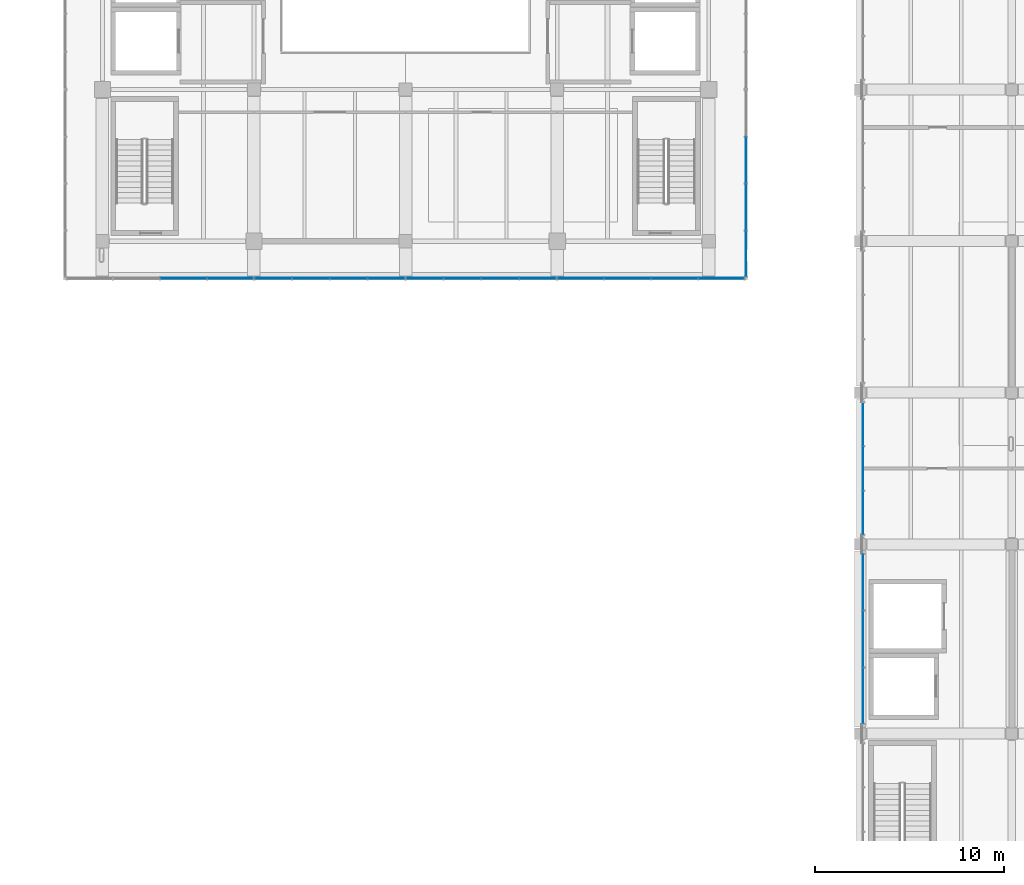
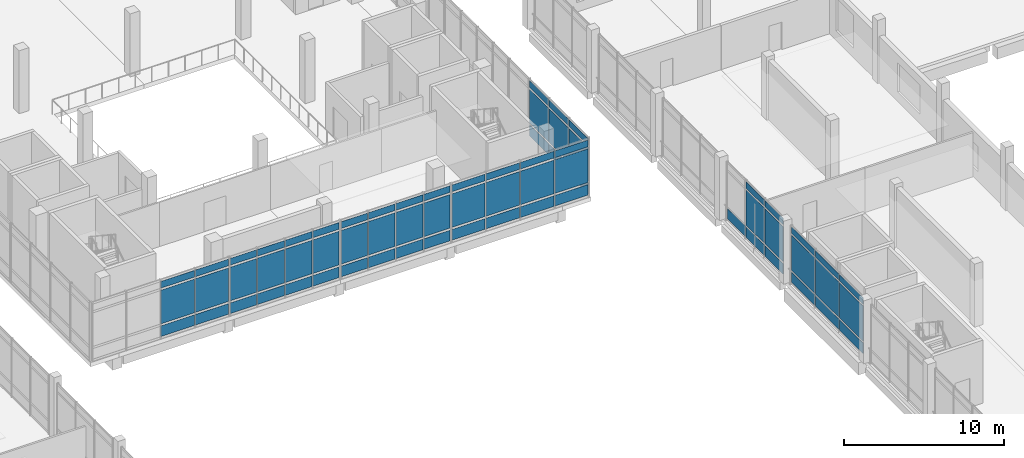
# One storey, part 27 of 47: 67 plates, 7 elements without a shape of their own.
"""IFC4 building model written with IfcOpenShell, lengths in metres."""

from ifc_helpers import new_model, si_unit, direction, frame, origin, origin_2d, place, context, subcontext, project, spatial, rectangle, extrude, material, layer, layer_set, type_object, element, aggregate, save


model = new_model("IFC4")

# Units and contexts
model_context = context("Model", 3, precision=1e-05, world=origin(), true_north=direction((0.0, 1.0)))
body_context = subcontext(model_context, "Body", "Model", "MODEL_VIEW")
ifc_project = project(units=[si_unit("LENGTHUNIT", "METRE"), si_unit("AREAUNIT", "SQUARE_METRE"), si_unit("VOLUMEUNIT", "CUBIC_METRE"), si_unit("PLANEANGLEUNIT", "RADIAN"), si_unit("MASSUNIT", "GRAM", prefix="KILO")], contexts=[model_context])

# Site, building, storey
site_placement = place(None, origin())
site = spatial("IfcSite", under=ifc_project, at=site_placement, CompositionType="ELEMENT")
building_placement = place(site_placement, origin())
building = spatial("IfcBuilding", under=site, at=building_placement, Name="Pecanmere Concourse Central Library", CompositionType="ELEMENT")
storey_placement = place(building_placement, frame((0.0, 0.0, 15.300048828125)))
storey = spatial("IfcBuildingStorey", under=building, at=storey_placement, Name="L04", CompositionType="ELEMENT", Elevation=15.300048828125)

# Curtain wall, plates
ifc_material_1 = material(Name="Anodized bronze aluminium alloy 6063-T6", Category="aluminium")
curtain_wall_type_1 = type_object("IfcCurtainWallType", Name="CW_PLUMB_BANDED", PredefinedType="USERDEFINED", material=ifc_material_1)
curtain_wall_1_placement = place(storey_placement, origin())
curtain_wall_1 = element("IfcCurtainWall", 1, at=curtain_wall_1_placement, inside=storey, type_object=curtain_wall_type_1, Name="Unitised Curtain Wall CW-02 L04-042", ObjectType="UNITISED CURTAIN WALL", PredefinedType="USERDEFINED")
ifc_material_2 = material(Name="White ceramic-fritted insulated spandrel glazing", Category="glass")
ifc_layer_1 = layer(ifc_material_2, 0.053955078125, Name="CWP_SPN_54")
ifc_layer_set_1 = layer_set([ifc_layer_1], Name="White ceramic-fritted insulated spandrel glazing")
plate_type_1 = type_object("IfcPlateType", Name="CWP_SPN_54", PredefinedType="CURTAIN_PANEL", material=ifc_layer_set_1)
plate_1_placement = place(storey_placement, frame((76.2763671875, 88.03857421875, 0.159912109375), z_axis=(0.0, 0.0, 1.0), x_axis=(1.0, 0.0, 0.0)))
plate_1 = element("IfcPlate", 2, at=plate_1_placement, type_object=plate_type_1, Name="CW-02 Spandrel Panel 3.1", PredefinedType="CURTAIN_PANEL", context=body_context, shape_type="SweptSolid", body=[
    extrude(rectangle(XDim=2.4140625, YDim=0.035888671875, at=origin_2d()), origin(), (0.0, 0.0, 1.0), 0.81005859375),
])
plate_2_placement = place(storey_placement, frame((78.7392578125, 88.03857421875, 0.159912109375), z_axis=(0.0, 0.0, 1.0), x_axis=(1.0, 0.0, 0.0)))
plate_2 = element("IfcPlate", 3, at=plate_2_placement, type_object=plate_type_1, Name="CW-02 Spandrel Panel 4.1", PredefinedType="CURTAIN_PANEL", context=body_context, shape_type="SweptSolid", body=[
    extrude(rectangle(XDim=2.381591796875, YDim=0.035888671875, at=origin_2d()), origin(), (0.0, 0.0, 1.0), 0.81005859375),
])

curtain_wall_2_placement = place(storey_placement, origin())
curtain_wall_2 = element("IfcCurtainWall", 4, at=curtain_wall_2_placement, inside=storey, type_object=curtain_wall_type_1, Name="Unitised Curtain Wall CW-02 L04-043", ObjectType="UNITISED CURTAIN WALL", PredefinedType="USERDEFINED")
plate_3_placement = place(storey_placement, frame((81.02001953125, 88.03857421875, 0.159912109375), z_axis=(0.0, 0.0, 1.0), x_axis=(1.0, 0.0, 0.0)))
plate_3 = element("IfcPlate", 5, at=plate_3_placement, type_object=plate_type_1, Name="CW-02 Spandrel Panel 1.1", PredefinedType="CURTAIN_PANEL", context=body_context, shape_type="SweptSolid", body=[
    extrude(rectangle(XDim=1.89990234375, YDim=0.035888671875, at=origin_2d()), origin(), (0.0, 0.0, 1.0), 0.81005859375),
])
plate_4_placement = place(storey_placement, frame((83.001220703125, 88.03857421875, 0.159912109375), z_axis=(0.0, 0.0, 1.0), x_axis=(1.0, 0.0, 0.0)))
plate_4 = element("IfcPlate", 6, at=plate_4_placement, type_object=plate_type_1, Name="CW-02 Spandrel Panel 2.1", PredefinedType="CURTAIN_PANEL", context=body_context, shape_type="SweptSolid", body=[
    extrude(rectangle(XDim=1.9326171875, YDim=0.035888671875, at=origin_2d()), origin(), (0.0, 0.0, 1.0), 0.81005859375),
])
plate_5_placement = place(storey_placement, frame((84.998779296875, 88.03857421875, 0.159912109375), z_axis=(0.0, 0.0, 1.0), x_axis=(1.0, 0.0, 0.0)))
plate_5 = element("IfcPlate", 7, at=plate_5_placement, type_object=plate_type_1, Name="CW-02 Spandrel Panel 3.1", PredefinedType="CURTAIN_PANEL", context=body_context, shape_type="SweptSolid", body=[
    extrude(rectangle(XDim=1.9326171875, YDim=0.035888671875, at=origin_2d()), origin(), (0.0, 0.0, 1.0), 0.81005859375),
])
plate_6_placement = place(storey_placement, frame((86.97998046875, 88.03857421875, 0.159912109375), z_axis=(0.0, 0.0, 1.0), x_axis=(1.0, 0.0, 0.0)))
plate_6 = element("IfcPlate", 8, at=plate_6_placement, type_object=plate_type_1, Name="CW-02 Spandrel Panel 4.1", PredefinedType="CURTAIN_PANEL", context=body_context, shape_type="SweptSolid", body=[
    extrude(rectangle(XDim=1.89990234375, YDim=0.035888671875, at=origin_2d()), origin(), (0.0, 0.0, 1.0), 0.81005859375),
])

curtain_wall_3_placement = place(storey_placement, origin())
curtain_wall_3 = element("IfcCurtainWall", 9, at=curtain_wall_3_placement, inside=storey, type_object=curtain_wall_type_1, Name="Unitised Curtain Wall CW-02 L04-044", ObjectType="UNITISED CURTAIN WALL", PredefinedType="USERDEFINED")
plate_7_placement = place(storey_placement, frame((89.02001953125, 88.03857421875, 0.159912109375), z_axis=(0.0, 0.0, 1.0), x_axis=(1.0, 0.0, 0.0)))
plate_7 = element("IfcPlate", 10, at=plate_7_placement, type_object=plate_type_1, Name="CW-02 Spandrel Panel 1.1", PredefinedType="CURTAIN_PANEL", context=body_context, shape_type="SweptSolid", body=[
    extrude(rectangle(XDim=1.89990234375, YDim=0.035888671875, at=origin_2d()), origin(), (0.0, 0.0, 1.0), 0.81005859375),
])
plate_8_placement = place(storey_placement, frame((91.001220703125, 88.03857421875, 0.159912109375), z_axis=(0.0, 0.0, 1.0), x_axis=(1.0, 0.0, 0.0)))
plate_8 = element("IfcPlate", 11, at=plate_8_placement, type_object=plate_type_1, Name="CW-02 Spandrel Panel 2.1", PredefinedType="CURTAIN_PANEL", context=body_context, shape_type="SweptSolid", body=[
    extrude(rectangle(XDim=1.9326171875, YDim=0.035888671875, at=origin_2d()), origin(), (0.0, 0.0, 1.0), 0.81005859375),
])
plate_9_placement = place(storey_placement, frame((92.998779296875, 88.03857421875, 0.159912109375), z_axis=(0.0, 0.0, 1.0), x_axis=(1.0, 0.0, 0.0)))
plate_9 = element("IfcPlate", 12, at=plate_9_placement, type_object=plate_type_1, Name="CW-02 Spandrel Panel 3.1", PredefinedType="CURTAIN_PANEL", context=body_context, shape_type="SweptSolid", body=[
    extrude(rectangle(XDim=1.9326171875, YDim=0.035888671875, at=origin_2d()), origin(), (0.0, 0.0, 1.0), 0.81005859375),
])
plate_10_placement = place(storey_placement, frame((94.97998046875, 88.03857421875, 0.159912109375), z_axis=(0.0, 0.0, 1.0), x_axis=(1.0, 0.0, 0.0)))
plate_10 = element("IfcPlate", 13, at=plate_10_placement, type_object=plate_type_1, Name="CW-02 Spandrel Panel 4.1", PredefinedType="CURTAIN_PANEL", context=body_context, shape_type="SweptSolid", body=[
    extrude(rectangle(XDim=1.89990234375, YDim=0.035888671875, at=origin_2d()), origin(), (0.0, 0.0, 1.0), 0.81005859375),
])

curtain_wall_4_placement = place(storey_placement, origin())
curtain_wall_4 = element("IfcCurtainWall", 14, at=curtain_wall_4_placement, inside=storey, type_object=curtain_wall_type_1, Name="Unitised Curtain Wall CW-02 L04-045", ObjectType="UNITISED CURTAIN WALL", PredefinedType="USERDEFINED")
plate_11_placement = place(storey_placement, frame((97.2607421875, 88.03857421875, 0.159912109375), z_axis=(0.0, 0.0, 1.0), x_axis=(1.0, 0.0, 0.0)))
plate_11 = element("IfcPlate", 15, at=plate_11_placement, type_object=plate_type_1, Name="CW-02 Spandrel Panel 1.1", PredefinedType="CURTAIN_PANEL", context=body_context, shape_type="SweptSolid", body=[
    extrude(rectangle(XDim=2.381591796875, YDim=0.035888671875, at=origin_2d()), origin(), (0.0, 0.0, 1.0), 0.81005859375),
])
plate_12_placement = place(storey_placement, frame((99.7236328125, 88.03857421875, 0.159912109375), z_axis=(0.0, 0.0, 1.0), x_axis=(1.0, 0.0, 0.0)))
plate_12 = element("IfcPlate", 16, at=plate_12_placement, type_object=plate_type_1, Name="CW-02 Spandrel Panel 2.1", PredefinedType="CURTAIN_PANEL", context=body_context, shape_type="SweptSolid", body=[
    extrude(rectangle(XDim=2.4140625, YDim=0.035888671875, at=origin_2d()), origin(), (0.0, 0.0, 1.0), 0.81005859375),
])
plate_13_placement = place(storey_placement, frame((102.202880859375, 88.03857421875, 0.159912109375), z_axis=(0.0, 0.0, 1.0), x_axis=(1.0, 0.0, 0.0)))
plate_13 = element("IfcPlate", 17, at=plate_13_placement, type_object=plate_type_1, Name="CW-02 Spandrel Panel 3.1", PredefinedType="CURTAIN_PANEL", context=body_context, shape_type="SweptSolid", body=[
    extrude(rectangle(XDim=2.4140625, YDim=0.035888671875, at=origin_2d()), origin(), (0.0, 0.0, 1.0), 0.81005859375),
])
plate_14_placement = place(storey_placement, frame((104.665771484375, 88.03857421875, 0.159912109375), z_axis=(0.0, 0.0, 1.0), x_axis=(1.0, 0.0, 0.0)))
plate_14 = element("IfcPlate", 18, at=plate_14_placement, type_object=plate_type_1, Name="CW-02 Spandrel Panel 4.1", PredefinedType="CURTAIN_PANEL", context=body_context, shape_type="SweptSolid", body=[
    extrude(rectangle(XDim=2.381591796875, YDim=0.035888671875, at=origin_2d()), origin(), (0.0, 0.0, 1.0), 0.81005859375),
])

curtain_wall_5_placement = place(storey_placement, origin())
curtain_wall_5 = element("IfcCurtainWall", 19, at=curtain_wall_5_placement, inside=storey, type_object=curtain_wall_type_1, Name="Unitised Curtain Wall CW-02 L04-046", ObjectType="UNITISED CURTAIN WALL", PredefinedType="USERDEFINED")
plate_15_placement = place(storey_placement, frame((105.96142578125, 89.334228515625, 0.159912109375), z_axis=(0.0, 0.0, 1.0), x_axis=(0.0, 1.0, 0.0)))
plate_15 = element("IfcPlate", 20, at=plate_15_placement, type_object=plate_type_1, Name="CW-02 Spandrel Panel 1.1", PredefinedType="CURTAIN_PANEL", context=body_context, shape_type="SweptSolid", body=[
    extrude(rectangle(XDim=2.381591796875, YDim=0.035888671875, at=origin_2d()), origin(), (0.0, 0.0, 1.0), 0.81005859375),
])
plate_16_placement = place(storey_placement, frame((105.96142578125, 91.797119140625, 0.159912109375), z_axis=(0.0, 0.0, 1.0), x_axis=(0.0, 1.0, 0.0)))
plate_16 = element("IfcPlate", 21, at=plate_16_placement, type_object=plate_type_1, Name="CW-02 Spandrel Panel 2.1", PredefinedType="CURTAIN_PANEL", context=body_context, shape_type="SweptSolid", body=[
    extrude(rectangle(XDim=2.4140625, YDim=0.035888671875, at=origin_2d()), origin(), (0.0, 0.0, 1.0), 0.81005859375),
])
plate_17_placement = place(storey_placement, frame((105.96142578125, 94.2763671875, 0.159912109375), z_axis=(0.0, 0.0, 1.0), x_axis=(0.0, 1.0, 0.0)))
plate_17 = element("IfcPlate", 22, at=plate_17_placement, type_object=plate_type_1, Name="CW-02 Spandrel Panel 3.1", PredefinedType="CURTAIN_PANEL", context=body_context, shape_type="SweptSolid", body=[
    extrude(rectangle(XDim=2.4140625, YDim=0.035888671875, at=origin_2d()), origin(), (0.0, 0.0, 1.0), 0.81005859375),
])

ifc_material_3 = material(Name="Clear anodized aluminium alloy 6063-T6", Category="aluminium")
curtain_wall_type_2 = type_object("IfcCurtainWallType", Name="CW_CLOISTER_GLAZ", PredefinedType="USERDEFINED", material=ifc_material_3)
curtain_wall_6_placement = place(storey_placement, origin())
curtain_wall_6 = element("IfcCurtainWall", 23, at=curtain_wall_6_placement, inside=storey, type_object=curtain_wall_type_2, Name="Unitised Curtain Wall CW-04 L04-143", ObjectType="UNITISED CURTAIN WALL", PredefinedType="USERDEFINED")
plate_18_placement = place(storey_placement, frame((112.14990234375, 71.998291015625, 0.139892578125), z_axis=(0.0, 0.0, 1.0), x_axis=(0.0, -1.0, 0.0)))
plate_18 = element("IfcPlate", 24, at=plate_18_placement, type_object=plate_type_1, Name="CW-04 Spandrel Panel 1.1", PredefinedType="CURTAIN_PANEL", context=body_context, shape_type="SweptSolid", body=[
    extrude(rectangle(XDim=2.92333984375, YDim=0.035888671875, at=origin_2d()), origin(), (0.0, 0.0, 1.0), 0.7900390625),
])
plate_19_placement = place(storey_placement, frame((112.14990234375, 69.0, 0.139892578125), z_axis=(0.0, 0.0, 1.0), x_axis=(0.0, -1.0, 0.0)))
plate_19 = element("IfcPlate", 25, at=plate_19_placement, type_object=plate_type_1, Name="CW-04 Spandrel Panel 2.1", PredefinedType="CURTAIN_PANEL", context=body_context, shape_type="SweptSolid", body=[
    extrude(rectangle(XDim=2.953369140625, YDim=0.035888671875, at=origin_2d()), origin(), (0.0, 0.0, 1.0), 0.7900390625),
])
plate_20_placement = place(storey_placement, frame((112.14990234375, 66.001708984375, 0.139892578125), z_axis=(0.0, 0.0, 1.0), x_axis=(0.0, -1.0, 0.0)))
plate_20 = element("IfcPlate", 26, at=plate_20_placement, type_object=plate_type_1, Name="CW-04 Spandrel Panel 3.1", PredefinedType="CURTAIN_PANEL", context=body_context, shape_type="SweptSolid", body=[
    extrude(rectangle(XDim=2.92333984375, YDim=0.035888671875, at=origin_2d()), origin(), (0.0, 0.0, 1.0), 0.7900390625),
])

curtain_wall_7_placement = place(storey_placement, origin())
curtain_wall_7 = element("IfcCurtainWall", 27, at=curtain_wall_7_placement, inside=storey, type_object=curtain_wall_type_2, Name="Unitised Curtain Wall CW-04 L04-145", ObjectType="UNITISED CURTAIN WALL", PredefinedType="USERDEFINED")
plate_21_placement = place(storey_placement, frame((112.14990234375, 80.331787109375, 0.139892578125), z_axis=(0.0, 0.0, 1.0), x_axis=(0.0, -1.0, 0.0)))
plate_21 = element("IfcPlate", 28, at=plate_21_placement, type_object=plate_type_1, Name="CW-04 Spandrel Panel 1.1", PredefinedType="CURTAIN_PANEL", context=body_context, shape_type="SweptSolid", body=[
    extrude(rectangle(XDim=2.256591796875, YDim=0.035888671875, at=origin_2d()), origin(), (0.0, 0.0, 1.0), 0.7900390625),
])
plate_22_placement = place(storey_placement, frame((112.14990234375, 78.0, 0.139892578125), z_axis=(0.0, 0.0, 1.0), x_axis=(0.0, -1.0, 0.0)))
plate_22 = element("IfcPlate", 29, at=plate_22_placement, type_object=plate_type_1, Name="CW-04 Spandrel Panel 2.1", PredefinedType="CURTAIN_PANEL", context=body_context, shape_type="SweptSolid", body=[
    extrude(rectangle(XDim=2.28662109375, YDim=0.035888671875, at=origin_2d()), origin(), (0.0, 0.0, 1.0), 0.7900390625),
])
plate_23_placement = place(storey_placement, frame((112.14990234375, 75.668212890625, 0.139892578125), z_axis=(0.0, 0.0, 1.0), x_axis=(0.0, -1.0, 0.0)))
plate_23 = element("IfcPlate", 30, at=plate_23_placement, type_object=plate_type_1, Name="CW-04 Spandrel Panel 3.1", PredefinedType="CURTAIN_PANEL", context=body_context, shape_type="SweptSolid", body=[
    extrude(rectangle(XDim=2.256591796875, YDim=0.035888671875, at=origin_2d()), origin(), (0.0, 0.0, 1.0), 0.7900390625),
])

# Plate
ifc_material_4 = material(Name="Low-iron clear insulated glazing", Category="glass")
ifc_layer_2 = layer(ifc_material_4, 0.035888671875, Name="CWP_VIS_36")
ifc_layer_set_2 = layer_set([ifc_layer_2], Name="Low-iron clear insulated glazing")
plate_type_2 = type_object("IfcPlateType", Name="CWP_VIS_36", PredefinedType="CURTAIN_PANEL", material=ifc_layer_set_2)
plate_24_placement = place(storey_placement, frame((76.2763671875, 88.03857421875, 1.1298828125), z_axis=(0.0, 0.0, 1.0), x_axis=(1.0, 0.0, 0.0)))
plate_24 = element("IfcPlate", 31, at=plate_24_placement, type_object=plate_type_2, Name="CW-02 Vision Panel 3.2", PredefinedType="CURTAIN_PANEL", context=body_context, shape_type="SweptSolid", body=[
    extrude(rectangle(XDim=2.4140625, YDim=0.035888671875, at=origin_2d()), origin(), (0.0, 0.0, 1.0), 2.56005859375),
])

plate_25_placement = place(storey_placement, frame((76.2763671875, 88.03857421875, 3.85009765625), z_axis=(0.0, 0.0, 1.0), x_axis=(1.0, 0.0, 0.0)))
plate_25 = element("IfcPlate", 32, at=plate_25_placement, type_object=plate_type_2, Name="CW-02 Vision Panel 3.3", PredefinedType="CURTAIN_PANEL", context=body_context, shape_type="SweptSolid", body=[
    extrude(rectangle(XDim=2.4140625, YDim=0.035888671875, at=origin_2d()), origin(), (0.0, 0.0, 1.0), 0.510009765625),
])

plate_26_placement = place(storey_placement, frame((78.7392578125, 88.03857421875, 1.1298828125), z_axis=(0.0, 0.0, 1.0), x_axis=(1.0, 0.0, 0.0)))
plate_26 = element("IfcPlate", 33, at=plate_26_placement, type_object=plate_type_2, Name="CW-02 Vision Panel 4.2", PredefinedType="CURTAIN_PANEL", context=body_context, shape_type="SweptSolid", body=[
    extrude(rectangle(XDim=2.381591796875, YDim=0.035888671875, at=origin_2d()), origin(), (0.0, 0.0, 1.0), 2.56005859375),
])

plate_27_placement = place(storey_placement, frame((78.7392578125, 88.03857421875, 3.85009765625), z_axis=(0.0, 0.0, 1.0), x_axis=(1.0, 0.0, 0.0)))
plate_27 = element("IfcPlate", 34, at=plate_27_placement, type_object=plate_type_2, Name="CW-02 Vision Panel 4.3", PredefinedType="CURTAIN_PANEL", context=body_context, shape_type="SweptSolid", body=[
    extrude(rectangle(XDim=2.381591796875, YDim=0.035888671875, at=origin_2d()), origin(), (0.0, 0.0, 1.0), 0.510009765625),
])

aggregate(curtain_wall_1, [plate_1, plate_24, plate_25, plate_2, plate_26, plate_27])

plate_28_placement = place(storey_placement, frame((81.02001953125, 88.03857421875, 1.1298828125), z_axis=(0.0, 0.0, 1.0), x_axis=(1.0, 0.0, 0.0)))
plate_28 = element("IfcPlate", 35, at=plate_28_placement, type_object=plate_type_2, Name="CW-02 Vision Panel 1.2", PredefinedType="CURTAIN_PANEL", context=body_context, shape_type="SweptSolid", body=[
    extrude(rectangle(XDim=1.89990234375, YDim=0.035888671875, at=origin_2d()), origin(), (0.0, 0.0, 1.0), 2.56005859375),
])

plate_29_placement = place(storey_placement, frame((81.02001953125, 88.03857421875, 3.85009765625), z_axis=(0.0, 0.0, 1.0), x_axis=(1.0, 0.0, 0.0)))
plate_29 = element("IfcPlate", 36, at=plate_29_placement, type_object=plate_type_2, Name="CW-02 Vision Panel 1.3", PredefinedType="CURTAIN_PANEL", context=body_context, shape_type="SweptSolid", body=[
    extrude(rectangle(XDim=1.89990234375, YDim=0.035888671875, at=origin_2d()), origin(), (0.0, 0.0, 1.0), 0.510009765625),
])

plate_30_placement = place(storey_placement, frame((83.001220703125, 88.03857421875, 1.1298828125), z_axis=(0.0, 0.0, 1.0), x_axis=(1.0, 0.0, 0.0)))
plate_30 = element("IfcPlate", 37, at=plate_30_placement, type_object=plate_type_2, Name="CW-02 Vision Panel 2.2", PredefinedType="CURTAIN_PANEL", context=body_context, shape_type="SweptSolid", body=[
    extrude(rectangle(XDim=1.9326171875, YDim=0.035888671875, at=origin_2d()), origin(), (0.0, 0.0, 1.0), 2.56005859375),
])

plate_31_placement = place(storey_placement, frame((83.001220703125, 88.03857421875, 3.85009765625), z_axis=(0.0, 0.0, 1.0), x_axis=(1.0, 0.0, 0.0)))
plate_31 = element("IfcPlate", 38, at=plate_31_placement, type_object=plate_type_2, Name="CW-02 Vision Panel 2.3", PredefinedType="CURTAIN_PANEL", context=body_context, shape_type="SweptSolid", body=[
    extrude(rectangle(XDim=1.9326171875, YDim=0.035888671875, at=origin_2d()), origin(), (0.0, 0.0, 1.0), 0.510009765625),
])

plate_32_placement = place(storey_placement, frame((84.998779296875, 88.03857421875, 1.1298828125), z_axis=(0.0, 0.0, 1.0), x_axis=(1.0, 0.0, 0.0)))
plate_32 = element("IfcPlate", 39, at=plate_32_placement, type_object=plate_type_2, Name="CW-02 Vision Panel 3.2", PredefinedType="CURTAIN_PANEL", context=body_context, shape_type="SweptSolid", body=[
    extrude(rectangle(XDim=1.9326171875, YDim=0.035888671875, at=origin_2d()), origin(), (0.0, 0.0, 1.0), 2.56005859375),
])

plate_33_placement = place(storey_placement, frame((84.998779296875, 88.03857421875, 3.85009765625), z_axis=(0.0, 0.0, 1.0), x_axis=(1.0, 0.0, 0.0)))
plate_33 = element("IfcPlate", 40, at=plate_33_placement, type_object=plate_type_2, Name="CW-02 Vision Panel 3.3", PredefinedType="CURTAIN_PANEL", context=body_context, shape_type="SweptSolid", body=[
    extrude(rectangle(XDim=1.9326171875, YDim=0.035888671875, at=origin_2d()), origin(), (0.0, 0.0, 1.0), 0.510009765625),
])

plate_34_placement = place(storey_placement, frame((86.97998046875, 88.03857421875, 1.1298828125), z_axis=(0.0, 0.0, 1.0), x_axis=(1.0, 0.0, 0.0)))
plate_34 = element("IfcPlate", 41, at=plate_34_placement, type_object=plate_type_2, Name="CW-02 Vision Panel 4.2", PredefinedType="CURTAIN_PANEL", context=body_context, shape_type="SweptSolid", body=[
    extrude(rectangle(XDim=1.89990234375, YDim=0.035888671875, at=origin_2d()), origin(), (0.0, 0.0, 1.0), 2.56005859375),
])

plate_35_placement = place(storey_placement, frame((86.97998046875, 88.03857421875, 3.85009765625), z_axis=(0.0, 0.0, 1.0), x_axis=(1.0, 0.0, 0.0)))
plate_35 = element("IfcPlate", 42, at=plate_35_placement, type_object=plate_type_2, Name="CW-02 Vision Panel 4.3", PredefinedType="CURTAIN_PANEL", context=body_context, shape_type="SweptSolid", body=[
    extrude(rectangle(XDim=1.89990234375, YDim=0.035888671875, at=origin_2d()), origin(), (0.0, 0.0, 1.0), 0.510009765625),
])

aggregate(curtain_wall_2, [plate_3, plate_28, plate_29, plate_4, plate_30, plate_31, plate_5, plate_32, plate_33, plate_6, plate_34, plate_35])

plate_36_placement = place(storey_placement, frame((89.02001953125, 88.03857421875, 1.1298828125), z_axis=(0.0, 0.0, 1.0), x_axis=(1.0, 0.0, 0.0)))
plate_36 = element("IfcPlate", 43, at=plate_36_placement, type_object=plate_type_2, Name="CW-02 Vision Panel 1.2", PredefinedType="CURTAIN_PANEL", context=body_context, shape_type="SweptSolid", body=[
    extrude(rectangle(XDim=1.89990234375, YDim=0.035888671875, at=origin_2d()), origin(), (0.0, 0.0, 1.0), 2.56005859375),
])

plate_37_placement = place(storey_placement, frame((89.02001953125, 88.03857421875, 3.85009765625), z_axis=(0.0, 0.0, 1.0), x_axis=(1.0, 0.0, 0.0)))
plate_37 = element("IfcPlate", 44, at=plate_37_placement, type_object=plate_type_2, Name="CW-02 Vision Panel 1.3", PredefinedType="CURTAIN_PANEL", context=body_context, shape_type="SweptSolid", body=[
    extrude(rectangle(XDim=1.89990234375, YDim=0.035888671875, at=origin_2d()), origin(), (0.0, 0.0, 1.0), 0.510009765625),
])

plate_38_placement = place(storey_placement, frame((91.001220703125, 88.03857421875, 1.1298828125), z_axis=(0.0, 0.0, 1.0), x_axis=(1.0, 0.0, 0.0)))
plate_38 = element("IfcPlate", 45, at=plate_38_placement, type_object=plate_type_2, Name="CW-02 Vision Panel 2.2", PredefinedType="CURTAIN_PANEL", context=body_context, shape_type="SweptSolid", body=[
    extrude(rectangle(XDim=1.9326171875, YDim=0.035888671875, at=origin_2d()), origin(), (0.0, 0.0, 1.0), 2.56005859375),
])

plate_39_placement = place(storey_placement, frame((91.001220703125, 88.03857421875, 3.85009765625), z_axis=(0.0, 0.0, 1.0), x_axis=(1.0, 0.0, 0.0)))
plate_39 = element("IfcPlate", 46, at=plate_39_placement, type_object=plate_type_2, Name="CW-02 Vision Panel 2.3", PredefinedType="CURTAIN_PANEL", context=body_context, shape_type="SweptSolid", body=[
    extrude(rectangle(XDim=1.9326171875, YDim=0.035888671875, at=origin_2d()), origin(), (0.0, 0.0, 1.0), 0.510009765625),
])

plate_40_placement = place(storey_placement, frame((92.998779296875, 88.03857421875, 1.1298828125), z_axis=(0.0, 0.0, 1.0), x_axis=(1.0, 0.0, 0.0)))
plate_40 = element("IfcPlate", 47, at=plate_40_placement, type_object=plate_type_2, Name="CW-02 Vision Panel 3.2", PredefinedType="CURTAIN_PANEL", context=body_context, shape_type="SweptSolid", body=[
    extrude(rectangle(XDim=1.9326171875, YDim=0.035888671875, at=origin_2d()), origin(), (0.0, 0.0, 1.0), 2.56005859375),
])

plate_41_placement = place(storey_placement, frame((92.998779296875, 88.03857421875, 3.85009765625), z_axis=(0.0, 0.0, 1.0), x_axis=(1.0, 0.0, 0.0)))
plate_41 = element("IfcPlate", 48, at=plate_41_placement, type_object=plate_type_2, Name="CW-02 Vision Panel 3.3", PredefinedType="CURTAIN_PANEL", context=body_context, shape_type="SweptSolid", body=[
    extrude(rectangle(XDim=1.9326171875, YDim=0.035888671875, at=origin_2d()), origin(), (0.0, 0.0, 1.0), 0.510009765625),
])

plate_42_placement = place(storey_placement, frame((94.97998046875, 88.03857421875, 1.1298828125), z_axis=(0.0, 0.0, 1.0), x_axis=(1.0, 0.0, 0.0)))
plate_42 = element("IfcPlate", 49, at=plate_42_placement, type_object=plate_type_2, Name="CW-02 Vision Panel 4.2", PredefinedType="CURTAIN_PANEL", context=body_context, shape_type="SweptSolid", body=[
    extrude(rectangle(XDim=1.89990234375, YDim=0.035888671875, at=origin_2d()), origin(), (0.0, 0.0, 1.0), 2.56005859375),
])

plate_43_placement = place(storey_placement, frame((94.97998046875, 88.03857421875, 3.85009765625), z_axis=(0.0, 0.0, 1.0), x_axis=(1.0, 0.0, 0.0)))
plate_43 = element("IfcPlate", 50, at=plate_43_placement, type_object=plate_type_2, Name="CW-02 Vision Panel 4.3", PredefinedType="CURTAIN_PANEL", context=body_context, shape_type="SweptSolid", body=[
    extrude(rectangle(XDim=1.89990234375, YDim=0.035888671875, at=origin_2d()), origin(), (0.0, 0.0, 1.0), 0.510009765625),
])

aggregate(curtain_wall_3, [plate_7, plate_36, plate_37, plate_8, plate_38, plate_39, plate_9, plate_40, plate_41, plate_10, plate_42, plate_43])

plate_44_placement = place(storey_placement, frame((97.2607421875, 88.03857421875, 1.1298828125), z_axis=(0.0, 0.0, 1.0), x_axis=(1.0, 0.0, 0.0)))
plate_44 = element("IfcPlate", 51, at=plate_44_placement, type_object=plate_type_2, Name="CW-02 Vision Panel 1.2", PredefinedType="CURTAIN_PANEL", context=body_context, shape_type="SweptSolid", body=[
    extrude(rectangle(XDim=2.381591796875, YDim=0.035888671875, at=origin_2d()), origin(), (0.0, 0.0, 1.0), 2.56005859375),
])

plate_45_placement = place(storey_placement, frame((97.2607421875, 88.03857421875, 3.85009765625), z_axis=(0.0, 0.0, 1.0), x_axis=(1.0, 0.0, 0.0)))
plate_45 = element("IfcPlate", 52, at=plate_45_placement, type_object=plate_type_2, Name="CW-02 Vision Panel 1.3", PredefinedType="CURTAIN_PANEL", context=body_context, shape_type="SweptSolid", body=[
    extrude(rectangle(XDim=2.381591796875, YDim=0.035888671875, at=origin_2d()), origin(), (0.0, 0.0, 1.0), 0.510009765625),
])

plate_46_placement = place(storey_placement, frame((99.7236328125, 88.03857421875, 1.1298828125), z_axis=(0.0, 0.0, 1.0), x_axis=(1.0, 0.0, 0.0)))
plate_46 = element("IfcPlate", 53, at=plate_46_placement, type_object=plate_type_2, Name="CW-02 Vision Panel 2.2", PredefinedType="CURTAIN_PANEL", context=body_context, shape_type="SweptSolid", body=[
    extrude(rectangle(XDim=2.4140625, YDim=0.035888671875, at=origin_2d()), origin(), (0.0, 0.0, 1.0), 2.56005859375),
])

plate_47_placement = place(storey_placement, frame((99.7236328125, 88.03857421875, 3.85009765625), z_axis=(0.0, 0.0, 1.0), x_axis=(1.0, 0.0, 0.0)))
plate_47 = element("IfcPlate", 54, at=plate_47_placement, type_object=plate_type_2, Name="CW-02 Vision Panel 2.3", PredefinedType="CURTAIN_PANEL", context=body_context, shape_type="SweptSolid", body=[
    extrude(rectangle(XDim=2.4140625, YDim=0.035888671875, at=origin_2d()), origin(), (0.0, 0.0, 1.0), 0.510009765625),
])

plate_48_placement = place(storey_placement, frame((102.202880859375, 88.03857421875, 1.1298828125), z_axis=(0.0, 0.0, 1.0), x_axis=(1.0, 0.0, 0.0)))
plate_48 = element("IfcPlate", 55, at=plate_48_placement, type_object=plate_type_2, Name="CW-02 Vision Panel 3.2", PredefinedType="CURTAIN_PANEL", context=body_context, shape_type="SweptSolid", body=[
    extrude(rectangle(XDim=2.4140625, YDim=0.035888671875, at=origin_2d()), origin(), (0.0, 0.0, 1.0), 2.56005859375),
])

plate_49_placement = place(storey_placement, frame((102.202880859375, 88.03857421875, 3.85009765625), z_axis=(0.0, 0.0, 1.0), x_axis=(1.0, 0.0, 0.0)))
plate_49 = element("IfcPlate", 56, at=plate_49_placement, type_object=plate_type_2, Name="CW-02 Vision Panel 3.3", PredefinedType="CURTAIN_PANEL", context=body_context, shape_type="SweptSolid", body=[
    extrude(rectangle(XDim=2.4140625, YDim=0.035888671875, at=origin_2d()), origin(), (0.0, 0.0, 1.0), 0.510009765625),
])

plate_50_placement = place(storey_placement, frame((104.665771484375, 88.03857421875, 1.1298828125), z_axis=(0.0, 0.0, 1.0), x_axis=(1.0, 0.0, 0.0)))
plate_50 = element("IfcPlate", 57, at=plate_50_placement, type_object=plate_type_2, Name="CW-02 Vision Panel 4.2", PredefinedType="CURTAIN_PANEL", context=body_context, shape_type="SweptSolid", body=[
    extrude(rectangle(XDim=2.381591796875, YDim=0.035888671875, at=origin_2d()), origin(), (0.0, 0.0, 1.0), 2.56005859375),
])

plate_51_placement = place(storey_placement, frame((104.665771484375, 88.03857421875, 3.85009765625), z_axis=(0.0, 0.0, 1.0), x_axis=(1.0, 0.0, 0.0)))
plate_51 = element("IfcPlate", 58, at=plate_51_placement, type_object=plate_type_2, Name="CW-02 Vision Panel 4.3", PredefinedType="CURTAIN_PANEL", context=body_context, shape_type="SweptSolid", body=[
    extrude(rectangle(XDim=2.381591796875, YDim=0.035888671875, at=origin_2d()), origin(), (0.0, 0.0, 1.0), 0.510009765625),
])

aggregate(curtain_wall_4, [plate_11, plate_44, plate_45, plate_12, plate_46, plate_47, plate_13, plate_48, plate_49, plate_14, plate_50, plate_51])

plate_52_placement = place(storey_placement, frame((105.96142578125, 89.334228515625, 1.1298828125), z_axis=(0.0, 0.0, 1.0), x_axis=(0.0, 1.0, 0.0)))
plate_52 = element("IfcPlate", 59, at=plate_52_placement, type_object=plate_type_2, Name="CW-02 Vision Panel 1.2", PredefinedType="CURTAIN_PANEL", context=body_context, shape_type="SweptSolid", body=[
    extrude(rectangle(XDim=2.381591796875, YDim=0.035888671875, at=origin_2d()), origin(), (0.0, 0.0, 1.0), 2.56005859375),
])

plate_53_placement = place(storey_placement, frame((105.96142578125, 89.334228515625, 3.85009765625), z_axis=(0.0, 0.0, 1.0), x_axis=(0.0, 1.0, 0.0)))
plate_53 = element("IfcPlate", 60, at=plate_53_placement, type_object=plate_type_2, Name="CW-02 Vision Panel 1.3", PredefinedType="CURTAIN_PANEL", context=body_context, shape_type="SweptSolid", body=[
    extrude(rectangle(XDim=2.381591796875, YDim=0.035888671875, at=origin_2d()), origin(), (0.0, 0.0, 1.0), 0.510009765625),
])

plate_54_placement = place(storey_placement, frame((105.96142578125, 91.797119140625, 1.1298828125), z_axis=(0.0, 0.0, 1.0), x_axis=(0.0, 1.0, 0.0)))
plate_54 = element("IfcPlate", 61, at=plate_54_placement, type_object=plate_type_2, Name="CW-02 Vision Panel 2.2", PredefinedType="CURTAIN_PANEL", context=body_context, shape_type="SweptSolid", body=[
    extrude(rectangle(XDim=2.4140625, YDim=0.035888671875, at=origin_2d()), origin(), (0.0, 0.0, 1.0), 2.56005859375),
])

plate_55_placement = place(storey_placement, frame((105.96142578125, 91.797119140625, 3.85009765625), z_axis=(0.0, 0.0, 1.0), x_axis=(0.0, 1.0, 0.0)))
plate_55 = element("IfcPlate", 62, at=plate_55_placement, type_object=plate_type_2, Name="CW-02 Vision Panel 2.3", PredefinedType="CURTAIN_PANEL", context=body_context, shape_type="SweptSolid", body=[
    extrude(rectangle(XDim=2.4140625, YDim=0.035888671875, at=origin_2d()), origin(), (0.0, 0.0, 1.0), 0.510009765625),
])

plate_56_placement = place(storey_placement, frame((105.96142578125, 94.2763671875, 1.1298828125), z_axis=(0.0, 0.0, 1.0), x_axis=(0.0, 1.0, 0.0)))
plate_56 = element("IfcPlate", 63, at=plate_56_placement, type_object=plate_type_2, Name="CW-02 Vision Panel 3.2", PredefinedType="CURTAIN_PANEL", context=body_context, shape_type="SweptSolid", body=[
    extrude(rectangle(XDim=2.4140625, YDim=0.035888671875, at=origin_2d()), origin(), (0.0, 0.0, 1.0), 2.56005859375),
])

plate_57_placement = place(storey_placement, frame((105.96142578125, 94.2763671875, 3.85009765625), z_axis=(0.0, 0.0, 1.0), x_axis=(0.0, 1.0, 0.0)))
plate_57 = element("IfcPlate", 64, at=plate_57_placement, type_object=plate_type_2, Name="CW-02 Vision Panel 3.3", PredefinedType="CURTAIN_PANEL", context=body_context, shape_type="SweptSolid", body=[
    extrude(rectangle(XDim=2.4140625, YDim=0.035888671875, at=origin_2d()), origin(), (0.0, 0.0, 1.0), 0.510009765625),
])

aggregate(curtain_wall_5, [plate_15, plate_52, plate_53, plate_16, plate_54, plate_55, plate_17, plate_56, plate_57])

plate_58_placement = place(storey_placement, frame((112.14990234375, 71.998291015625, 1.06982421875), z_axis=(0.0, 0.0, 1.0), x_axis=(0.0, -1.0, 0.0)))
plate_58 = element("IfcPlate", 65, at=plate_58_placement, type_object=plate_type_2, Name="CW-04 Vision Panel 1.2", PredefinedType="CURTAIN_PANEL", context=body_context, shape_type="SweptSolid", body=[
    extrude(rectangle(XDim=2.92333984375, YDim=0.035888671875, at=origin_2d()), origin(), (0.0, 0.0, 1.0), 2.679931640625),
])

plate_59_placement = place(storey_placement, frame((112.14990234375, 71.998291015625, 3.89013671875), z_axis=(0.0, 0.0, 1.0), x_axis=(0.0, -1.0, 0.0)))
plate_59 = element("IfcPlate", 66, at=plate_59_placement, type_object=plate_type_2, Name="CW-04 Vision Panel 1.3", PredefinedType="CURTAIN_PANEL", context=body_context, shape_type="SweptSolid", body=[
    extrude(rectangle(XDim=2.92333984375, YDim=0.035888671875, at=origin_2d()), origin(), (0.0, 0.0, 1.0), 0.489990234375),
])

plate_60_placement = place(storey_placement, frame((112.14990234375, 69.0, 1.06982421875), z_axis=(0.0, 0.0, 1.0), x_axis=(0.0, -1.0, 0.0)))
plate_60 = element("IfcPlate", 67, at=plate_60_placement, type_object=plate_type_2, Name="CW-04 Vision Panel 2.2", PredefinedType="CURTAIN_PANEL", context=body_context, shape_type="SweptSolid", body=[
    extrude(rectangle(XDim=2.953369140625, YDim=0.035888671875, at=origin_2d()), origin(), (0.0, 0.0, 1.0), 2.679931640625),
])

plate_61_placement = place(storey_placement, frame((112.14990234375, 69.0, 3.89013671875), z_axis=(0.0, 0.0, 1.0), x_axis=(0.0, -1.0, 0.0)))
plate_61 = element("IfcPlate", 68, at=plate_61_placement, type_object=plate_type_2, Name="CW-04 Vision Panel 2.3", PredefinedType="CURTAIN_PANEL", context=body_context, shape_type="SweptSolid", body=[
    extrude(rectangle(XDim=2.953369140625, YDim=0.035888671875, at=origin_2d()), origin(), (0.0, 0.0, 1.0), 0.489990234375),
])

plate_62_placement = place(storey_placement, frame((112.14990234375, 66.001708984375, 1.06982421875), z_axis=(0.0, 0.0, 1.0), x_axis=(0.0, -1.0, 0.0)))
plate_62 = element("IfcPlate", 69, at=plate_62_placement, type_object=plate_type_2, Name="CW-04 Vision Panel 3.2", PredefinedType="CURTAIN_PANEL", context=body_context, shape_type="SweptSolid", body=[
    extrude(rectangle(XDim=2.92333984375, YDim=0.035888671875, at=origin_2d()), origin(), (0.0, 0.0, 1.0), 2.679931640625),
])

plate_63_placement = place(storey_placement, frame((112.14990234375, 66.001708984375, 3.89013671875), z_axis=(0.0, 0.0, 1.0), x_axis=(0.0, -1.0, 0.0)))
plate_63 = element("IfcPlate", 70, at=plate_63_placement, type_object=plate_type_2, Name="CW-04 Vision Panel 3.3", PredefinedType="CURTAIN_PANEL", context=body_context, shape_type="SweptSolid", body=[
    extrude(rectangle(XDim=2.92333984375, YDim=0.035888671875, at=origin_2d()), origin(), (0.0, 0.0, 1.0), 0.489990234375),
])

aggregate(curtain_wall_6, [plate_18, plate_58, plate_59, plate_19, plate_60, plate_61, plate_20, plate_62, plate_63])

plate_64_placement = place(storey_placement, frame((112.14990234375, 78.0, 1.06982421875), z_axis=(0.0, 0.0, 1.0), x_axis=(0.0, -1.0, 0.0)))
plate_64 = element("IfcPlate", 71, at=plate_64_placement, type_object=plate_type_2, Name="CW-04 Vision Panel 2.2", PredefinedType="CURTAIN_PANEL", context=body_context, shape_type="SweptSolid", body=[
    extrude(rectangle(XDim=2.28662109375, YDim=0.035888671875, at=origin_2d()), origin(), (0.0, 0.0, 1.0), 2.679931640625),
])

plate_65_placement = place(storey_placement, frame((112.14990234375, 78.0, 3.89013671875), z_axis=(0.0, 0.0, 1.0), x_axis=(0.0, -1.0, 0.0)))
plate_65 = element("IfcPlate", 72, at=plate_65_placement, type_object=plate_type_2, Name="CW-04 Vision Panel 2.3", PredefinedType="CURTAIN_PANEL", context=body_context, shape_type="SweptSolid", body=[
    extrude(rectangle(XDim=2.28662109375, YDim=0.035888671875, at=origin_2d()), origin(), (0.0, 0.0, 1.0), 0.489990234375),
])

plate_66_placement = place(storey_placement, frame((112.14990234375, 75.668212890625, 1.06982421875), z_axis=(0.0, 0.0, 1.0), x_axis=(0.0, -1.0, 0.0)))
plate_66 = element("IfcPlate", 73, at=plate_66_placement, type_object=plate_type_2, Name="CW-04 Vision Panel 3.2", PredefinedType="CURTAIN_PANEL", context=body_context, shape_type="SweptSolid", body=[
    extrude(rectangle(XDim=2.256591796875, YDim=0.035888671875, at=origin_2d()), origin(), (0.0, 0.0, 1.0), 2.679931640625),
])

plate_67_placement = place(storey_placement, frame((112.14990234375, 75.668212890625, 3.89013671875), z_axis=(0.0, 0.0, 1.0), x_axis=(0.0, -1.0, 0.0)))
plate_67 = element("IfcPlate", 74, at=plate_67_placement, type_object=plate_type_2, Name="CW-04 Vision Panel 3.3", PredefinedType="CURTAIN_PANEL", context=body_context, shape_type="SweptSolid", body=[
    extrude(rectangle(XDim=2.256591796875, YDim=0.035888671875, at=origin_2d()), origin(), (0.0, 0.0, 1.0), 0.489990234375),
])

aggregate(curtain_wall_7, [plate_21, plate_22, plate_64, plate_65, plate_23, plate_66, plate_67])

save(model, "model.ifc")
